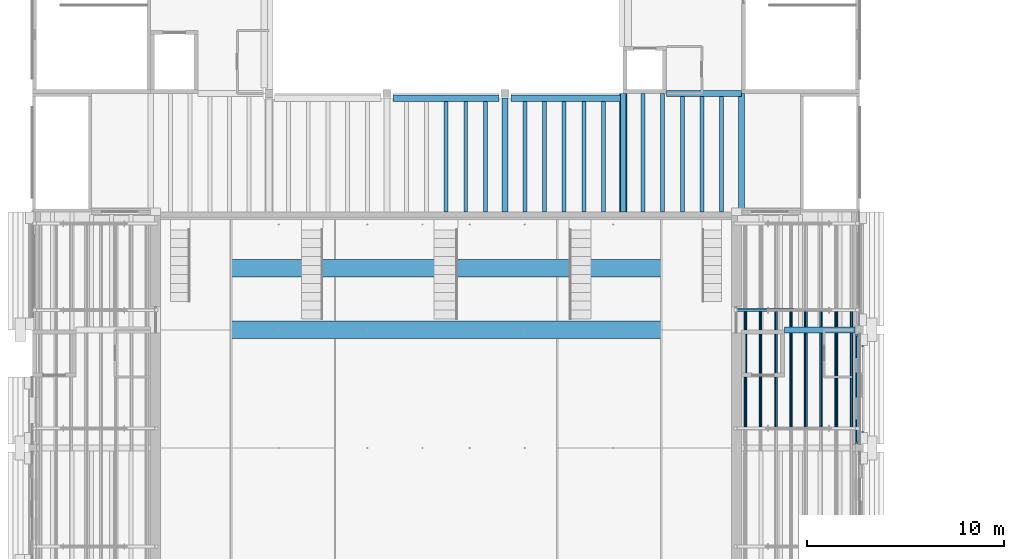
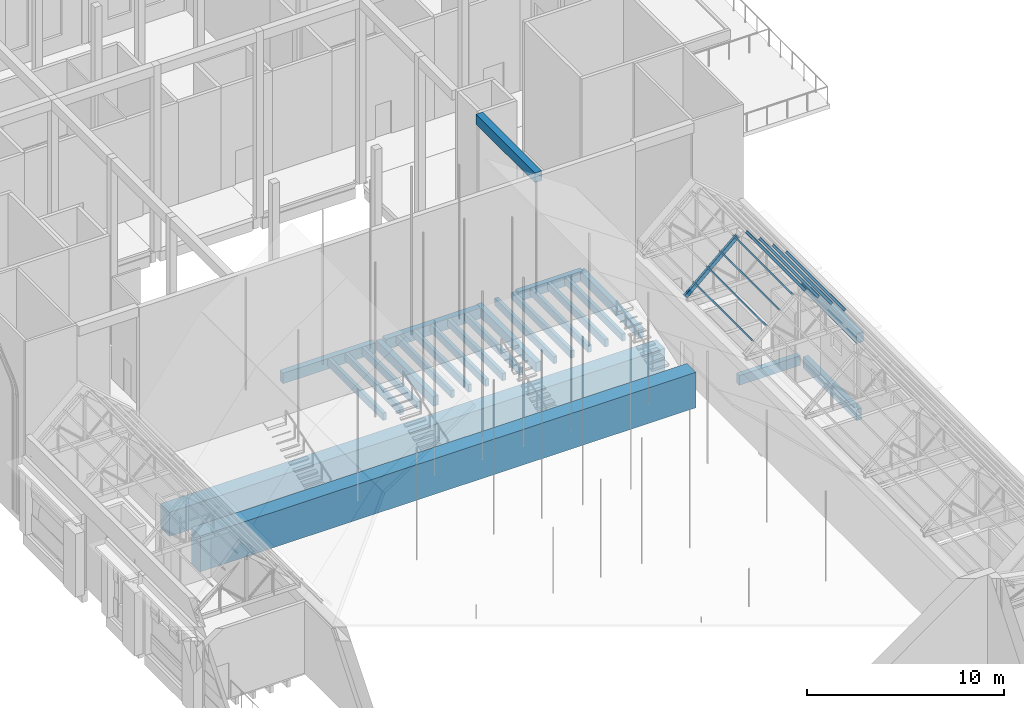
# One storey, part 45 of 118: 25 beams, 9 members.
"""IFC4 building model written with IfcOpenShell, lengths in metres."""

import ifcopenshell
import ifcopenshell.guid

model = None  # the IFC model being written
_history = None  # IfcOwnerHistory: only IFC2X3 demands one
_inside = {}  # id of a spatial element -> (the spatial element, [elements in it])
_under = {}  # id of a project, library or spatial element -> (it, [spatial elements below it])
_declared = {}  # id of a project -> (the project, [libraries it declares])
_typed = {}  # id of a type object -> (the type object, [elements of that type])
_made_of = {}  # id of a material, layer set ... -> (it, [elements and type objects made of it])


def new_model(schema):
    """Start an empty IFC model of exactly this schema.

    Asked for "IFC4X3", IfcOpenShell would pick the latest addendum, in which some entities
    have other attributes; the version numbers below select the first issue.
    IFC2X3 requires an IfcOwnerHistory on every rooted entity: one is made here for all.
    """
    global model, _history
    if schema == "IFC4X3":
        model = ifcopenshell.file(schema_version=(4, 3, 0, 0))
    else:
        model = ifcopenshell.file(schema=schema)
    _inside.clear()
    _under.clear()
    _declared.clear()
    _typed.clear()
    _made_of.clear()
    _history = None
    if model.schema == "IFC2X3":
        org = make("IfcOrganization", Name="unknown")
        user = make(
            "IfcPersonAndOrganization",
            ThePerson=make("IfcPerson", FamilyName="unknown"),
            TheOrganization=org,
        )
        app = make(
            "IfcApplication",
            ApplicationDeveloper=org,
            Version="unknown",
            ApplicationFullName="unknown",
            ApplicationIdentifier="unknown",
        )
        _history = make(
            "IfcOwnerHistory",
            OwningUser=user,
            OwningApplication=app,
            ChangeAction="ADDED",
            CreationDate=0,
        )
    return model


def make(cls, **values):
    """One entity of the class cls with the attributes given. An attribute that is None is left unset."""
    return model.create_entity(
        cls, **{name: value for name, value in values.items() if value is not None}
    )


def rooted(cls, **values):
    """An entity with a GlobalId (a new one), such as an element, a storey or a relation."""
    return make(cls, GlobalId=ifcopenshell.guid.new(), OwnerHistory=_history, **values)


def si_unit(unit_type, name, prefix=None):
    """IfcSIUnit, for example si_unit("LENGTHUNIT", "METRE", prefix="MILLI")."""
    return make("IfcSIUnit", UnitType=unit_type, Prefix=prefix, Name=name)


def assignment(units):
    """IfcUnitAssignment: the units of a project."""
    return None if units is None else make("IfcUnitAssignment", Units=units)


def point(xyz):
    """IfcCartesianPoint."""
    return None if xyz is None else make("IfcCartesianPoint", Coordinates=xyz)


def direction(xyz):
    """IfcDirection."""
    return None if xyz is None else make("IfcDirection", DirectionRatios=xyz)


def frame(location, z_axis=None, x_axis=None):
    """IfcAxis2Placement3D, a coordinate frame: its origin and axes. An axis left out is left unset."""
    return make(
        "IfcAxis2Placement3D",
        Location=point(location),
        Axis=direction(z_axis),
        RefDirection=direction(x_axis),
    )


def frame_2d(location, x_axis=None):
    """IfcAxis2Placement2D, a coordinate frame in the plane: its origin and x axis."""
    return make(
        "IfcAxis2Placement2D", Location=point(location), RefDirection=direction(x_axis)
    )


def origin():
    """The frame at (0, 0, 0) with its axes left unset."""
    return frame((0.0, 0.0, 0.0))


def origin_2d():
    """The frame at (0, 0) in the plane with its x axis left unset."""
    return frame_2d((0.0, 0.0))


def place(relative_to, where):
    """IfcLocalPlacement: puts the frame where relative to a parent placement (None: the world)."""
    return make(
        "IfcLocalPlacement", PlacementRelTo=relative_to, RelativePlacement=where
    )


def context(
    kind, dimensions, precision=None, world=None, true_north=None, identifier=None
):
    """IfcGeometricRepresentationContext, for example the 3D "Model" context."""
    return make(
        "IfcGeometricRepresentationContext",
        ContextIdentifier=identifier,
        ContextType=kind,
        CoordinateSpaceDimension=dimensions,
        Precision=precision,
        WorldCoordinateSystem=world,
        TrueNorth=true_north,
    )


def subcontext(parent, identifier, kind, view, scale=None):
    """IfcGeometricRepresentationSubContext, for example "Body" below "Model"."""
    return make(
        "IfcGeometricRepresentationSubContext",
        ContextIdentifier=identifier,
        ContextType=kind,
        ParentContext=parent,
        TargetScale=scale,
        TargetView=view,
    )


def project(units=None, contexts=None):
    """IfcProject with its units and contexts."""
    return rooted(
        "IfcProject",
        Name="project",
        RepresentationContexts=contexts,
        UnitsInContext=assignment(units),
    )


def spatial(cls, under=None, at=None, **own):
    """A site, building, storey or space (cls), placed at a placement, below another one or the project."""
    s = rooted(cls, ObjectPlacement=at, **own)
    if under is not None:
        _under.setdefault(under.id(), (under, []))[1].append(s)
    return s


def profile(cls, at=None, kind="AREA", **sizes):
    """A parametric profile (cls). Its sizes go by their IFC names, for example OverallWidth=200.0."""
    return make(cls, ProfileType=kind, Position=at, **sizes)


def rectangle(**sizes):
    """IfcRectangleProfileDef."""
    return profile("IfcRectangleProfileDef", **sizes)


def hollow_rectangle(**sizes):
    """IfcRectangleHollowProfileDef."""
    return profile("IfcRectangleHollowProfileDef", **sizes)


def i_section(**sizes):
    """IfcIShapeProfileDef."""
    return profile("IfcIShapeProfileDef", **sizes)


def extrude(swept, where, along, depth):
    """IfcExtrudedAreaSolid: the profile swept, set in the frame where, extruded along a direction by depth."""
    return make(
        "IfcExtrudedAreaSolid",
        SweptArea=swept,
        Position=where,
        ExtrudedDirection=direction(along),
        Depth=depth,
    )


def shape(context_of_items, identifier, shape_type, items):
    """IfcShapeRepresentation: the items that make up one representation, for example the "Body"."""
    return make(
        "IfcShapeRepresentation",
        ContextOfItems=context_of_items,
        RepresentationIdentifier=identifier,
        RepresentationType=shape_type,
        Items=items,
    )


def material(Name=None, Category=None):
    """IfcMaterial."""
    return make("IfcMaterial", Name=Name, Category=Category)


def material_profile(
    of_material, cross_section, Name=None, Category=None, Priority=None
):
    """IfcMaterialProfile: a cross section and its material."""
    return make(
        "IfcMaterialProfile",
        Name=Name,
        Material=of_material,
        Profile=cross_section,
        Priority=Priority,
        Category=Category,
    )


def profile_set(profiles, Name=None, composite=None):
    """IfcMaterialProfileSet."""
    return make(
        "IfcMaterialProfileSet",
        Name=Name,
        MaterialProfiles=profiles,
        CompositeProfile=composite,
    )


def made_of(thing, what):
    """Note that an element or type object is made of a material, layer set ...; save() writes the relation."""
    if what is not None:
        _made_of.setdefault(what.id(), (what, []))[1].append(thing)
    return thing


def type_object(cls, material=None, **own):
    """A type object (cls), such as IfcWallType, which elements share."""
    return made_of(rooted(cls, **own), material)


def element(
    cls,
    number,
    at=None,
    inside=None,
    cuts=None,
    type_object=None,
    material=None,
    context=None,
    identifier="Body",
    shape_type=None,
    held_by="IfcProductDefinitionShape",
    body=None,
    shapes=None,
    **own,
):
    """One element of the class cls, such as IfcWall. Its Tag is "e" and its number.

    at: its placement. inside: the storey or other place that contains it. cuts: it is an
    opening in that element (IfcRelVoidsElement). A single representation is given by context,
    identifier, shape_type and body (its items); several are given by shapes. held_by: the class
    of the entity that holds the representations. save() writes the other relations.
    """
    e = rooted(cls, Tag="e%d" % number, ObjectPlacement=at, **own)
    if body is not None:
        shapes = [shape(context, identifier, shape_type, body)]
    if shapes is not None:
        e.Representation = make(held_by, Representations=shapes)
    if inside is not None:
        _inside.setdefault(inside.id(), (inside, []))[1].append(e)
    if cuts is not None:
        rooted(
            "IfcRelVoidsElement", RelatingBuildingElement=cuts, RelatedOpeningElement=e
        )
    if type_object is not None:
        _typed.setdefault(type_object.id(), (type_object, []))[1].append(e)
    return made_of(e, material)


def aggregate(whole, parts):
    """IfcRelAggregates: a whole, such as a stair, and the parts it consists of."""
    return rooted("IfcRelAggregates", RelatingObject=whole, RelatedObjects=parts)


def save(model, path):
    """Write the relations noted so far, then the file.

    IfcRelAggregates (storeys below a building ...), IfcRelContainedInSpatialStructure (elements
    in a storey), IfcRelDefinesByType, IfcRelAssociatesMaterial and IfcRelDeclares: one each for
    every whole, place, type object, material and project.
    """
    for whole, parts in _under.values():
        aggregate(whole, parts)
    for where, things in _inside.values():
        rooted(
            "IfcRelContainedInSpatialStructure",
            RelatedElements=things,
            RelatingStructure=where,
        )
    for kind, things in _typed.values():
        rooted("IfcRelDefinesByType", RelatedObjects=things, RelatingType=kind)
    for what, things in _made_of.values():
        rooted("IfcRelAssociatesMaterial", RelatedObjects=things, RelatingMaterial=what)
    for by, libraries in _declared.values():
        rooted("IfcRelDeclares", RelatingContext=by, RelatedDefinitions=libraries)
    model.write(path)


model = new_model("IFC4")

# Units and contexts
model_context = context("Model", 3, precision=1e-05, world=origin(), true_north=direction((0.0, 1.0)))
body_context = subcontext(model_context, "Body", "Model", "MODEL_VIEW")
ifc_project = project(units=[si_unit("LENGTHUNIT", "METRE"), si_unit("AREAUNIT", "SQUARE_METRE"), si_unit("VOLUMEUNIT", "CUBIC_METRE"), si_unit("PLANEANGLEUNIT", "RADIAN"), si_unit("MASSUNIT", "GRAM", prefix="KILO")], contexts=[model_context])

# Site, building, storey
site_placement = place(None, origin())
site = spatial("IfcSite", under=ifc_project, at=site_placement, CompositionType="ELEMENT")
building_placement = place(site_placement, origin())
building = spatial("IfcBuilding", under=site, at=building_placement, Name="Saffron Lane Theatres", CompositionType="ELEMENT")
storey_placement = place(building_placement, frame((0.0, 0.0, 16.5)))
storey = spatial("IfcBuildingStorey", under=building, at=storey_placement, Name="L03", CompositionType="ELEMENT", Elevation=16.5)

# Beams
ifc_material_1 = material(Name="Concrete N40 (40 MPa)", Category="concrete")
ifc_material_profile_1 = material_profile(ifc_material_1, rectangle(XDim=0.300048828125, YDim=0.60009765625, at=origin_2d()))
ifc_profile_set_1 = profile_set([ifc_material_profile_1], Name="Concrete N40 (40 MPa)")
beam_type_1 = type_object("IfcBeamType", Name="RC-BEAM 300x600", PredefinedType="BEAM", material=ifc_profile_set_1)
beam_1_placement = place(storey_placement, frame((50.199951171875, 84.0, -0.550048828125), z_axis=(1.0, 0.0, 0.0), x_axis=(0.0, 1.0, 0.0)))
element("IfcBeam", 1, at=beam_1_placement, inside=storey, type_object=beam_type_1, Name="beam-L03-x840-502", PredefinedType="BEAM", context=body_context, shape_type="SweptSolid", body=[
    extrude(rectangle(XDim=0.300048828125, YDim=0.60009765625, at=origin_2d()), origin(), (0.0, 0.0, 1.0), 3.574951171875),
])
beam_2_placement = place(storey_placement, frame((44.199951171875, 96.0, -0.550048828125), z_axis=(1.0, 0.0, 0.0), x_axis=(0.0, 1.0, 0.0)))
element("IfcBeam", 2, at=beam_2_placement, inside=storey, type_object=beam_type_1, Name="beam-L03-x960-442", PredefinedType="BEAM", context=body_context, shape_type="SweptSolid", body=[
    extrude(rectangle(XDim=0.300048828125, YDim=0.60009765625, at=origin_2d()), origin(), (0.0, 0.0, 1.0), 3.800048828125),
])
beam_3_placement = place(storey_placement, frame((36.0, 90.0, -0.550048828125), z_axis=(0.0, 1.0, 0.0), x_axis=(-1.0, 0.0, 0.0)))
element("IfcBeam", 3, at=beam_3_placement, inside=storey, type_object=beam_type_1, Name="beam-L03-y360-900", PredefinedType="BEAM", context=body_context, shape_type="SweptSolid", body=[
    extrude(rectangle(XDim=0.300048828125, YDim=0.60009765625, at=origin_2d()), origin(), (0.0, 0.0, 1.0), 5.77490234375),
])
for number, where, z_axis, x_axis, name in (
    (4, (42.0, 90.0, -0.550048828125), (0.0, 1.0, 0.0), (-1.0, 0.0, 0.0), "beam-L03-y420-900"),
    (5, (48.0, 90.0, -0.550048828125), (0.0, 1.0, 0.0), (-1.0, 0.0, 0.0), "beam-L03-y480-900"),
):
    element("IfcBeam", number, at=place(storey_placement, frame(where, z_axis=z_axis, x_axis=x_axis)), inside=storey, type_object=beam_type_1, Name=name, PredefinedType="BEAM", context=body_context, shape_type="SweptSolid", body=[
        extrude(rectangle(XDim=0.300048828125, YDim=0.60009765625, at=origin_2d()), origin(), (0.0, 0.0, 1.0), 6.0),
    ])
ifc_material_2 = material(Name="Concrete N40 (40 MPa)", Category="concrete")
ifc_material_profile_2 = material_profile(ifc_material_2, rectangle(XDim=0.300048828125, YDim=0.699951171875, at=origin_2d()))
ifc_profile_set_2 = profile_set([ifc_material_profile_2], Name="Concrete N40 (40 MPa)")
beam_type_2 = type_object("IfcBeamType", Name="RC-BEAM 300x700", PredefinedType="BEAM", material=ifc_profile_set_2)
beam_4_placement = place(storey_placement, frame((54.0, 78.300048828125, -0.60009765625), z_axis=(0.0, 1.0, 0.0), x_axis=(-1.0, 0.0, 0.0)))
element("IfcBeam", 6, at=beam_4_placement, inside=storey, type_object=beam_type_2, Name="beam-L03-y540-783", PredefinedType="BEAM", context=body_context, shape_type="SweptSolid", body=[
    extrude(rectangle(XDim=0.300048828125, YDim=0.699951171875, at=origin_2d()), origin(), (0.0, 0.0, 1.0), 5.39990234375),
])
ifc_material_3 = material(Name="Concrete N40 (40 MPa)", Category="concrete")
ifc_material_profile_3 = material_profile(ifc_material_3, rectangle(XDim=0.35009765625, YDim=0.64990234375, at=origin_2d()))
ifc_profile_set_3 = profile_set([ifc_material_profile_3], Name="Concrete N40 (40 MPa)")
beam_type_3 = type_object("IfcBeamType", Name="RC-BEAM 350x650", PredefinedType="BEAM", material=ifc_profile_set_3)
beam_5_placement = place(storey_placement, frame((30.300048828125, 95.764892578125, -0.574951171875), z_axis=(1.0, 0.0, 0.0), x_axis=(0.0, 1.0, 0.0)))
element("IfcBeam", 7, at=beam_5_placement, inside=storey, type_object=beam_type_3, Name="beam-L03-x960-303", PredefinedType="BEAM", context=body_context, shape_type="SweptSolid", body=[
    extrude(rectangle(XDim=0.35009765625, YDim=0.64990234375, at=origin_2d()), origin(), (0.0, 0.0, 1.0), 5.39990234375),
])
beam_6_placement = place(storey_placement, frame((36.300048828125, 95.764892578125, -0.574951171875), z_axis=(1.0, 0.0, 0.0), x_axis=(0.0, 1.0, 0.0)))
element("IfcBeam", 8, at=beam_6_placement, inside=storey, type_object=beam_type_3, Name="beam-L03-x960-363", PredefinedType="BEAM", context=body_context, shape_type="SweptSolid", body=[
    extrude(rectangle(XDim=0.35009765625, YDim=0.64990234375, at=origin_2d()), origin(), (0.0, 0.0, 1.0), 5.699951171875),
])
ifc_material_4 = material(Name="Concrete N40 (40 MPa)", Category="concrete")
ifc_material_profile_4 = material_profile(ifc_material_4, rectangle(XDim=0.39990234375, YDim=0.60009765625, at=origin_2d()))
ifc_profile_set_4 = profile_set([ifc_material_profile_4], Name="Concrete N40 (40 MPa)")
beam_type_4 = type_object("IfcBeamType", Name="RC-BEAM 400x600", PredefinedType="BEAM", material=ifc_profile_set_4)
beam_7_placement = place(storey_placement, frame((42.0, 90.0, 11.199951171875), z_axis=(0.0, 1.0, 0.0), x_axis=(-1.0, 0.0, 0.0)))
element("IfcBeam", 9, at=beam_7_placement, inside=storey, type_object=beam_type_4, Name="beam-roof-brick-y420-23", PredefinedType="BEAM", context=body_context, shape_type="SweptSolid", body=[
    extrude(rectangle(XDim=0.39990234375, YDim=0.60009765625, at=origin_2d()), origin(), (0.0, 0.0, 1.0), 6.0),
])
beam_8_placement = place(storey_placement, frame((54.0, 78.199951171875, 4.199951171875), z_axis=(0.0, 1.0, 0.0), x_axis=(-1.0, 0.0, 0.0)))
element("IfcBeam", 10, at=beam_8_placement, inside=storey, type_object=beam_type_4, Name="beam-roof-side-y540-11", PredefinedType="BEAM", context=body_context, shape_type="SweptSolid", body=[
    extrude(rectangle(XDim=0.39990234375, YDim=0.60009765625, at=origin_2d()), origin(), (0.0, 0.0, 1.0), 5.60009765625),
])
ifc_material_5 = material(Name="Concrete N50 (50 MPa)", Category="concrete")
ifc_material_profile_5 = material_profile(ifc_material_5, rectangle(XDim=0.89990234375, YDim=1.5, at=origin_2d()))
ifc_profile_set_5 = profile_set([ifc_material_profile_5], Name="Concrete N50 (50 MPa)")
beam_type_5 = type_object("IfcBeamType", Name="RC-BEAM 900x1500", PredefinedType="BEAM", material=ifc_profile_set_5)
beam_9_placement = place(storey_placement, frame((18.5, 87.1279296875, -0.062744140625), z_axis=(1.0, 0.0, 0.0), x_axis=(0.0, 1.0, 0.0)))
element("IfcBeam", 11, at=beam_9_placement, inside=storey, type_object=beam_type_5, Name="beam-L03-upper-circle-girder", PredefinedType="BEAM", context=body_context, shape_type="SweptSolid", body=[
    extrude(rectangle(XDim=0.89990234375, YDim=1.5, at=origin_2d()), origin(), (0.0, 0.0, 1.0), 29.0),
])
ifc_material_6 = material(Name="Concrete N50 (50 MPa)", Category="concrete")
ifc_material_profile_6 = material_profile(ifc_material_6, rectangle(XDim=0.89990234375, YDim=2.199951171875, at=origin_2d()))
ifc_profile_set_6 = profile_set([ifc_material_profile_6], Name="Concrete N50 (50 MPa)")
beam_type_6 = type_object("IfcBeamType", Name="RC-BEAM 900x2200", PredefinedType="BEAM", material=ifc_profile_set_6)
beam_10_placement = place(storey_placement, frame((18.5, 84.0, 0.0), z_axis=(1.0, 0.0, 0.0), x_axis=(0.0, 1.0, 0.0)))
element("IfcBeam", 12, at=beam_10_placement, inside=storey, type_object=beam_type_6, Name="beam-L03-circle-front-girder", PredefinedType="BEAM", context=body_context, shape_type="SweptSolid", body=[
    extrude(rectangle(XDim=0.89990234375, YDim=2.199951171875, at=origin_2d()), origin(), (0.0, 0.0, 1.0), 29.0),
])
ifc_material_7 = material(Name="Concrete N40 (40 MPa)", Category="concrete")
ifc_material_profile_7 = material_profile(ifc_material_7, rectangle(XDim=0.199951171875, YDim=0.449951171875, at=origin_2d()))
ifc_profile_set_7 = profile_set([ifc_material_profile_7], Name="Concrete N40 (40 MPa)")
beam_type_7 = type_object("IfcBeamType", Name="RC-JOIST 200x450", PredefinedType="JOIST", material=ifc_profile_set_7)
for number, where, z_axis, x_axis, name in (
    (13, (33.0, 90.0, -0.47509765625), (0.0, 1.0, 0.0), (-1.0, 0.0, 0.0), "joist-L03-y3300-900"),
    (14, (34.0, 90.0, -0.47509765625), (0.0, 1.0, 0.0), (-1.0, 0.0, 0.0), "joist-L03-y3400-900"),
    (15, (35.0, 90.0, -0.47509765625), (0.0, 1.0, 0.0), (-1.0, 0.0, 0.0), "joist-L03-y3500-900"),
    (16, (37.0, 90.0, -0.47509765625), (0.0, 1.0, 0.0), (-1.0, 0.0, 0.0), "joist-L03-y3700-900"),
    (17, (38.0, 90.0, -0.47509765625), (0.0, 1.0, 0.0), (-1.0, 0.0, 0.0), "joist-L03-y3800-900"),
    (18, (39.0, 90.0, -0.47509765625), (0.0, 1.0, 0.0), (-1.0, 0.0, 0.0), "joist-L03-y3900-900"),
    (19, (40.0, 90.0, -0.47509765625), (0.0, 1.0, 0.0), (-1.0, 0.0, 0.0), "joist-L03-y4000-900"),
    (20, (41.0, 90.0, -0.47509765625), (0.0, 1.0, 0.0), (-1.0, 0.0, 0.0), "joist-L03-y4100-900"),
):
    element("IfcBeam", number, at=place(storey_placement, frame(where, z_axis=z_axis, x_axis=x_axis)), inside=storey, type_object=beam_type_7, Name=name, PredefinedType="JOIST", context=body_context, shape_type="SweptSolid", body=[
        extrude(rectangle(XDim=0.199951171875, YDim=0.449951171875, at=origin_2d()), origin(), (0.0, 0.0, 1.0), 5.590087890625),
    ])
for number, where, z_axis, x_axis, name in (
    (21, (43.0, 90.0, -0.47509765625), (0.0, 1.0, 0.0), (-1.0, 0.0, 0.0), "joist-L03-y4300-900"),
    (22, (44.0, 90.0, -0.47509765625), (0.0, 1.0, 0.0), (-1.0, 0.0, 0.0), "joist-L03-y4400-900"),
):
    element("IfcBeam", number, at=place(storey_placement, frame(where, z_axis=z_axis, x_axis=x_axis)), inside=storey, type_object=beam_type_7, Name=name, PredefinedType="JOIST", context=body_context, shape_type="SweptSolid", body=[
        extrude(rectangle(XDim=0.199951171875, YDim=0.449951171875, at=origin_2d()), origin(), (0.0, 0.0, 1.0), 6.0),
    ])
for number, where, z_axis, x_axis, name in (
    (23, (45.0, 90.0, -0.47509765625), (0.0, 1.0, 0.0), (-1.0, 0.0, 0.0), "joist-L03-y4500-900"),
    (24, (46.0, 90.0, -0.47509765625), (0.0, 1.0, 0.0), (-1.0, 0.0, 0.0), "joist-L03-y4600-900"),
    (25, (47.0, 90.0, -0.47509765625), (0.0, 1.0, 0.0), (-1.0, 0.0, 0.0), "joist-L03-y4700-900"),
):
    element("IfcBeam", number, at=place(storey_placement, frame(where, z_axis=z_axis, x_axis=x_axis)), inside=storey, type_object=beam_type_7, Name=name, PredefinedType="JOIST", context=body_context, shape_type="SweptSolid", body=[
        extrude(rectangle(XDim=0.199951171875, YDim=0.449951171875, at=origin_2d()), origin(), (0.0, 0.0, 1.0), 5.85009765625),
    ])

# Members
ifc_material_8 = material(Name="Steel Grade 350", Category="steel")
ifc_material_profile_8 = material_profile(ifc_material_8, i_section(OverallWidth=0.074951171875, OverallDepth=0.155029296875, WebThickness=0.006103515625, FlangeThickness=0.009521484375, FilletRadius=0.008056640625, at=origin_2d()))
ifc_profile_set_8 = profile_set([ifc_material_profile_8], Name="Steel Grade 350")
member_type_1 = type_object("IfcMemberType", Name="ST-STUDIO PURLIN 150UB18.0", PredefinedType="PURLIN", material=ifc_profile_set_8)
for number, where, z_axis, x_axis, name in (
    (26, (53.59716796875, 79.0, 5.544677734375), (0.0, 1.0, 0.0), (-0.748268687469, 0.0, 0.663395787863), "SB2-U61"),
    (27, (52.822265625, 79.0, 6.23193359375), (0.0, 1.0, 0.0), (-0.748268687469, 0.0, 0.663395787863), "SB2-U67"),
    (28, (52.04736328125, 79.0, 6.9189453125), (0.0, 1.0, 0.0), (-0.748268687469, 0.0, 0.663395787863), "SB2-U73"),
    (29, (51.272216796875, 79.0, 7.60595703125), (0.0, 1.0, 0.0), (-0.748268687469, 0.0, 0.663395787863), "SB2-U79"),
    (30, (48.20263671875, 79.0, 5.544677734375), (0.0, 1.0, 0.0), (-0.748268687469, 0.0, -0.663395787863), "SB2-U85"),
    (31, (48.977783203125, 79.0, 6.23193359375), (0.0, 1.0, 0.0), (-0.748268687469, 0.0, -0.663395787863), "SB2-U91"),
    (32, (49.752685546875, 79.0, 6.9189453125), (0.0, 1.0, 0.0), (-0.748268687469, 0.0, -0.663395787863), "SB2-U97"),
    (33, (50.52783203125, 79.0, 7.60595703125), (0.0, 1.0, 0.0), (-0.748268687469, 0.0, -0.663395787863), "SB2-U103"),
):
    element("IfcMember", number, at=place(storey_placement, frame(where, z_axis=z_axis, x_axis=x_axis)), inside=storey, type_object=member_type_1, Name=name, PredefinedType="PURLIN", context=body_context, shape_type="SweptSolid", body=[
        extrude(i_section(OverallWidth=0.074951171875, OverallDepth=0.155029296875, WebThickness=0.006103515625, FlangeThickness=0.009521484375, FilletRadius=0.008056640625, at=origin_2d()), origin(), (0.0, 0.0, 1.0), 6.0),
    ])
ifc_material_9 = material(Name="Steel Grade 350", Category="steel")
ifc_material_profile_9 = material_profile(ifc_material_9, hollow_rectangle(XDim=0.14990234375, YDim=0.25, WallThickness=0.009033203125, InnerFilletRadius=0.00439453125, OuterFilletRadius=0.013427734375, at=origin_2d()))
ifc_profile_set_9 = profile_set([ifc_material_profile_9], Name="Steel Grade 350")
member_type_2 = type_object("IfcMemberType", Name="ST-STUDIO TRUSS CHORD 250x150x9 RHS", PredefinedType="CHORD", material=ifc_profile_set_9)
member_placement = place(storey_placement, frame((47.717041015625, 85.0, 4.843505859375), z_axis=(0.748261446236, 0.0, 0.663403955428), x_axis=(0.0, 1.0, 0.0)))
element("IfcMember", 34, at=member_placement, inside=storey, type_object=member_type_2, Name="SB2-C43", PredefinedType="CHORD", context=body_context, shape_type="SweptSolid", body=[
    extrude(hollow_rectangle(XDim=0.14990234375, YDim=0.25, WallThickness=0.009033203125, InnerFilletRadius=0.00439453125, OuterFilletRadius=0.013427734375, at=origin_2d()), origin(), (0.0, 0.0, 1.0), 4.0595703125),
])

save(model, "model.ifc")
